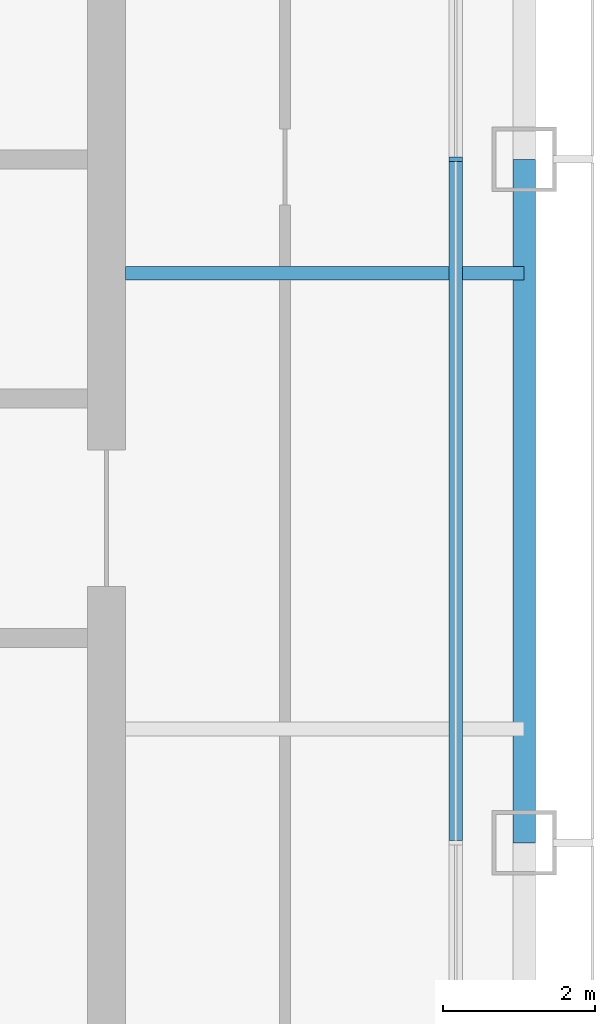
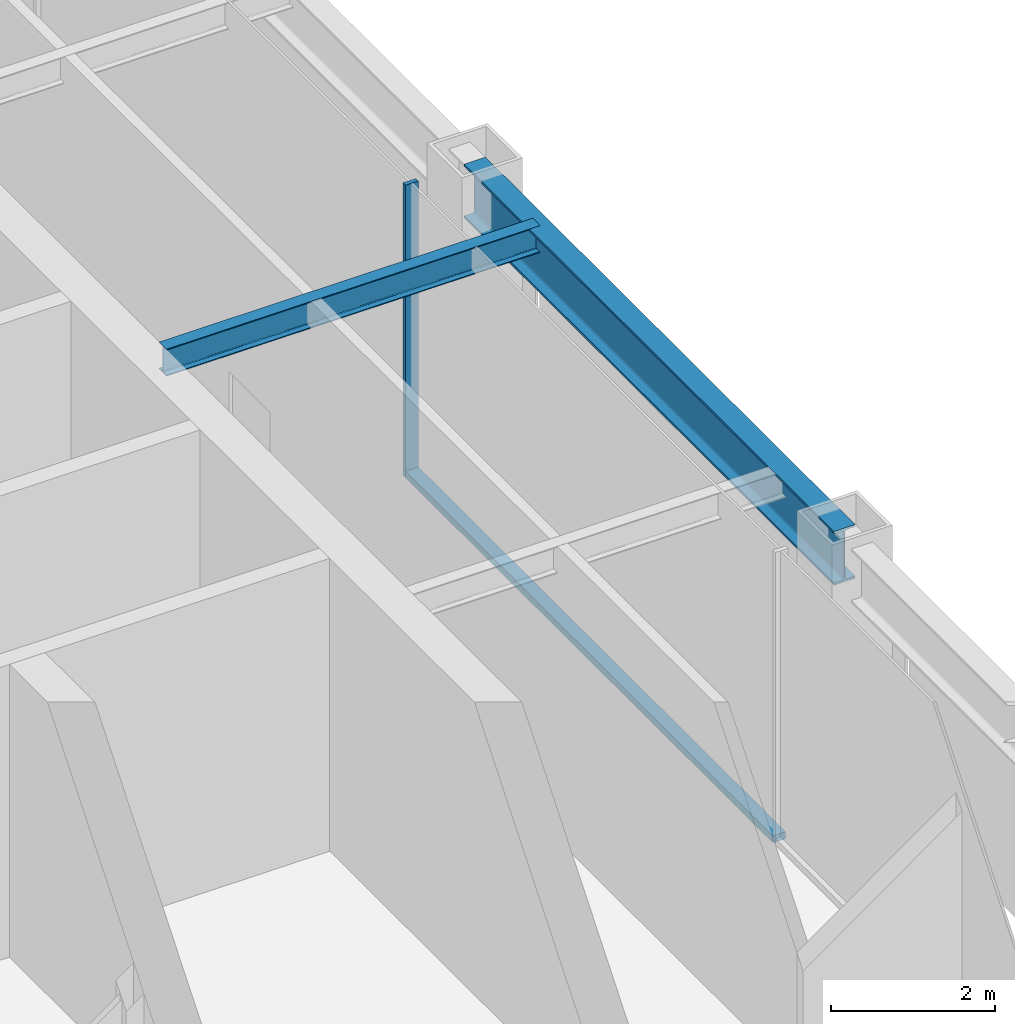
# One storey, part 5 of 19: 2 beams, 2 members, 1 element without a shape of its own.
"""IFC4 building model written with IfcOpenShell, lengths in metres."""

from ifc_helpers import new_model, si_unit, direction, frame, origin, origin_2d, place, context, subcontext, project, spatial, rectangle, i_section, extrude, material, layer, layer_set, material_profile, profile_set, type_object, element, aggregate, save


model = new_model("IFC4")

# Units and contexts
model_context = context("Model", 3, precision=1e-05, world=origin(), true_north=direction((0.0, 1.0)))
body_context = subcontext(model_context, "Body", "Model", "MODEL_VIEW")
ifc_project = project(units=[si_unit("LENGTHUNIT", "METRE"), si_unit("AREAUNIT", "SQUARE_METRE"), si_unit("VOLUMEUNIT", "CUBIC_METRE"), si_unit("PLANEANGLEUNIT", "RADIAN"), si_unit("MASSUNIT", "GRAM", prefix="KILO")], contexts=[model_context])

# Site, building, storey
site_placement = place(None, origin())
site = spatial("IfcSite", under=ifc_project, at=site_placement, CompositionType="ELEMENT")
building_placement = place(site_placement, origin())
building = spatial("IfcBuilding", under=site, at=building_placement, Name="Siwar Civic Tower", CompositionType="ELEMENT")
storey_placement = place(building_placement, frame((0.0, 0.0, 192.699951171875)))
storey = spatial("IfcBuildingStorey", under=building, at=storey_placement, Name="L41", CompositionType="ELEMENT", Elevation=192.699951171875)

# Curtain wall, members
ifc_material_1 = material(Name="Aluminium and glass", Category="aluminium")
ifc_layer = layer(ifc_material_1, 0.179931640625)
ifc_layer_set = layer_set([ifc_layer], Name="Aluminium and glass")
curtain_wall_type = type_object("IfcCurtainWallType", Name="ENV-CW-C", PredefinedType="NOTDEFINED", material=ifc_layer_set)
curtain_wall_placement = place(storey_placement, origin())
curtain_wall = element("IfcCurtainWall", 1, at=curtain_wall_placement, inside=storey, type_object=curtain_wall_type, Name="Curtain wall C E", PredefinedType="NOTDEFINED")
ifc_material_2 = material(Name="Aluminium 6063-T6", Category="aluminium")
ifc_material_profile_1 = material_profile(ifc_material_2, rectangle(XDim=0.179931640625, YDim=0.06005859375, at=origin_2d()), Name="AL 180x60")
ifc_profile_set_1 = profile_set([ifc_material_profile_1], Name="Aluminium 6063-T6")
member_type_1 = type_object("IfcMemberType", Name="ENV-MULLION-C", PredefinedType="MULLION", material=ifc_profile_set_1)
member_1_placement = place(storey_placement, frame((26.10009765625, 0.0, 0.0), z_axis=(0.0, 0.0, 1.0), x_axis=(-1.0, 0.0, 0.0)))
member_1 = element("IfcMember", 2, at=member_1_placement, type_object=member_type_1, Name="Mullion C E 3", PredefinedType="MULLION", context=body_context, shape_type="SweptSolid", body=[
    extrude(rectangle(XDim=0.179931640625, YDim=0.06005859375, at=origin_2d()), origin(), (0.0, 0.0, 1.0), 4.35009765625),
])
ifc_material_3 = material(Name="Aluminium 6063-T6", Category="aluminium")
ifc_material_profile_2 = material_profile(ifc_material_3, rectangle(XDim=0.179931640625, YDim=0.10009765625, at=origin_2d()), Name="AL 180x100")
ifc_profile_set_2 = profile_set([ifc_material_profile_2], Name="Aluminium 6063-T6")
member_type_2 = type_object("IfcMemberType", Name="ENV-TRANSOM-C", PredefinedType="USERDEFINED", material=ifc_profile_set_2)
member_2_placement = place(storey_placement, frame((26.10009765625, -8.969970703125, 0.050048828125), z_axis=(0.0, 1.0, 0.0), x_axis=(-1.0, 0.0, 0.0)))
member_2 = element("IfcMember", 3, at=member_2_placement, type_object=member_type_2, Name="Transom C E 2", ObjectType="TRANSOM", PredefinedType="USERDEFINED", context=body_context, shape_type="SweptSolid", body=[
    extrude(rectangle(XDim=0.179931640625, YDim=0.10009765625, at=origin_2d()), origin(), (0.0, 0.0, 1.0), 8.93994140625),
])
aggregate(curtain_wall, [member_1, member_2])

# Beams
ifc_material_4 = material(Name="Steel S355", Category="steel")
ifc_material_profile_3 = material_profile(ifc_material_4, i_section(OverallWidth=0.179931640625, OverallDepth=0.39990234375, WebThickness=0.008544921875, FlangeThickness=0.013427734375, FilletRadius=0.02099609375, at=origin_2d()), Name="IPE400")
ifc_profile_set_3 = profile_set([ifc_material_profile_3], Name="Steel S355")
beam_type_1 = type_object("IfcBeamType", Name="STR-FB-IPE400", PredefinedType="JOIST", material=ifc_profile_set_3)
beam_1_placement = place(storey_placement, frame((21.75, -1.5, 4.150146484375), z_axis=(1.0, 0.0, 0.0), x_axis=(0.0, 1.0, 0.0)))
element("IfcBeam", 4, at=beam_1_placement, inside=storey, type_object=beam_type_1, Name="L41/bm/F024", PredefinedType="JOIST", context=body_context, shape_type="SweptSolid", body=[
    extrude(i_section(OverallWidth=0.179931640625, OverallDepth=0.39990234375, WebThickness=0.008544921875, FlangeThickness=0.013427734375, FilletRadius=0.02099609375, at=origin_2d()), origin(), (0.0, 0.0, 1.0), 5.25),
])
ifc_material_5 = material(Name="Steel S355", Category="steel")
ifc_material_profile_4 = material_profile(ifc_material_5, i_section(OverallWidth=0.300048828125, OverallDepth=0.800048828125, WebThickness=0.017578125, FlangeThickness=0.032958984375, FilletRadius=0.030029296875, at=origin_2d()), Name="HEB800")
ifc_profile_set_4 = profile_set([ifc_material_profile_4], Name="Steel S355")
beam_type_2 = type_object("IfcBeamType", Name="STR-SB-HEB800", PredefinedType="BEAM", material=ifc_profile_set_4)
beam_2_placement = place(storey_placement, frame((27.0, -9.0, 3.949951171875), z_axis=(0.0, 1.0, 0.0), x_axis=(-1.0, 0.0, 0.0)))
element("IfcBeam", 5, at=beam_2_placement, inside=storey, type_object=beam_type_2, Name="L41/bm/SE-1", PredefinedType="BEAM", context=body_context, shape_type="SweptSolid", body=[
    extrude(i_section(OverallWidth=0.300048828125, OverallDepth=0.800048828125, WebThickness=0.017578125, FlangeThickness=0.032958984375, FilletRadius=0.030029296875, at=origin_2d()), origin(), (0.0, 0.0, 1.0), 9.0),
])

save(model, "model.ifc")
